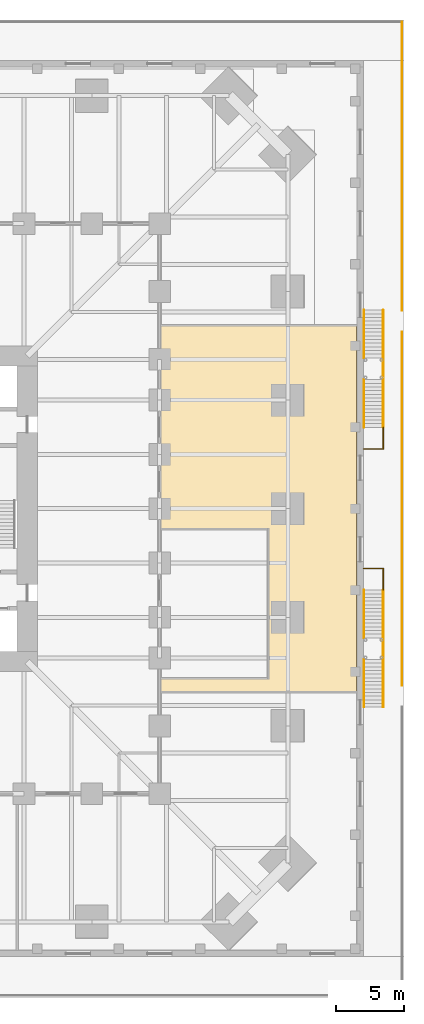
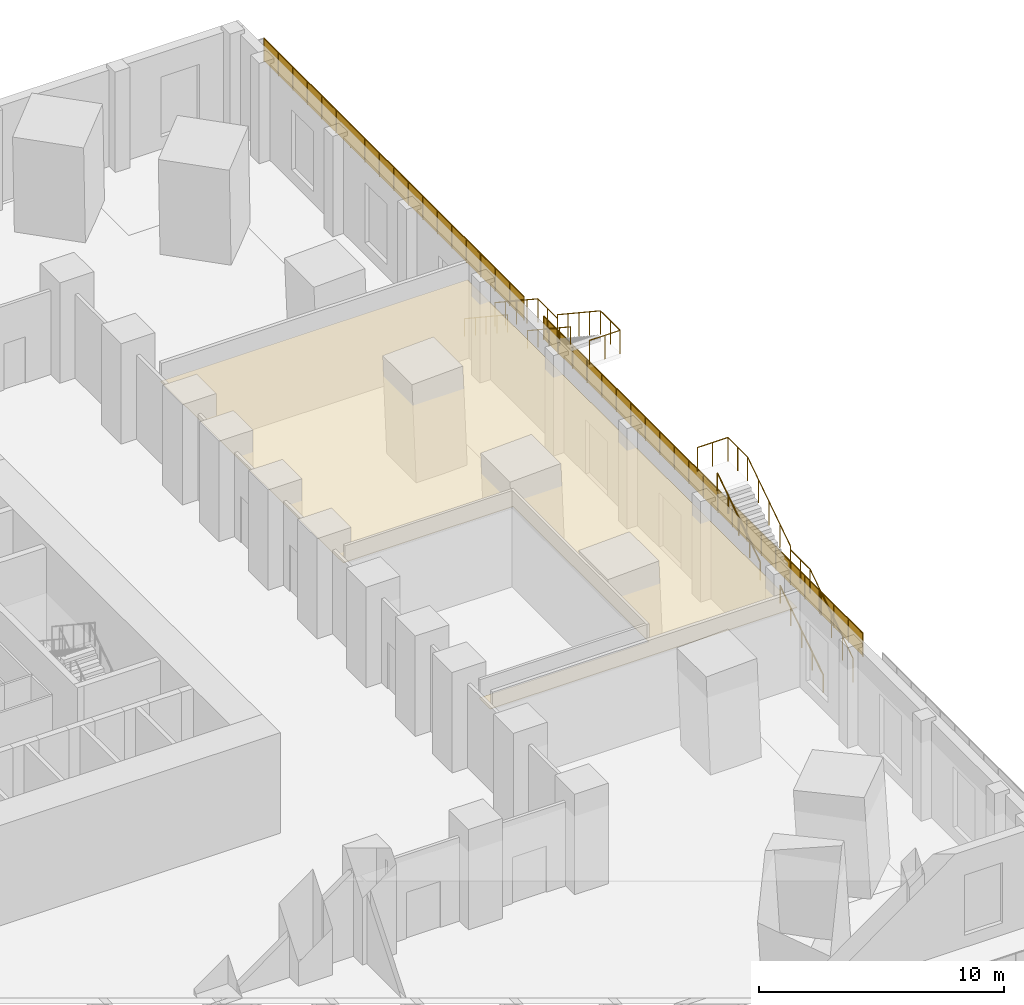
# One storey, part 19 of 20: 14 railings, 1 covering.
"""IFC4 building model written with IfcOpenShell, lengths in metres."""

import ifcopenshell
import ifcopenshell.guid

model = None  # the IFC model being written
_history = None  # IfcOwnerHistory: only IFC2X3 demands one
_inside = {}  # id of a spatial element -> (the spatial element, [elements in it])
_under = {}  # id of a project, library or spatial element -> (it, [spatial elements below it])
_declared = {}  # id of a project -> (the project, [libraries it declares])
_typed = {}  # id of a type object -> (the type object, [elements of that type])
_made_of = {}  # id of a material, layer set ... -> (it, [elements and type objects made of it])


def new_model(schema):
    """Start an empty IFC model of exactly this schema.

    Asked for "IFC4X3", IfcOpenShell would pick the latest addendum, in which some entities
    have other attributes; the version numbers below select the first issue.
    IFC2X3 requires an IfcOwnerHistory on every rooted entity: one is made here for all.
    """
    global model, _history
    if schema == "IFC4X3":
        model = ifcopenshell.file(schema_version=(4, 3, 0, 0))
    else:
        model = ifcopenshell.file(schema=schema)
    _inside.clear()
    _under.clear()
    _declared.clear()
    _typed.clear()
    _made_of.clear()
    _history = None
    if model.schema == "IFC2X3":
        org = make("IfcOrganization", Name="unknown")
        user = make(
            "IfcPersonAndOrganization",
            ThePerson=make("IfcPerson", FamilyName="unknown"),
            TheOrganization=org,
        )
        app = make(
            "IfcApplication",
            ApplicationDeveloper=org,
            Version="unknown",
            ApplicationFullName="unknown",
            ApplicationIdentifier="unknown",
        )
        _history = make(
            "IfcOwnerHistory",
            OwningUser=user,
            OwningApplication=app,
            ChangeAction="ADDED",
            CreationDate=0,
        )
    return model


def make(cls, **values):
    """One entity of the class cls with the attributes given. An attribute that is None is left unset."""
    return model.create_entity(
        cls, **{name: value for name, value in values.items() if value is not None}
    )


def rooted(cls, **values):
    """An entity with a GlobalId (a new one), such as an element, a storey or a relation."""
    return make(cls, GlobalId=ifcopenshell.guid.new(), OwnerHistory=_history, **values)


def si_unit(unit_type, name, prefix=None):
    """IfcSIUnit, for example si_unit("LENGTHUNIT", "METRE", prefix="MILLI")."""
    return make("IfcSIUnit", UnitType=unit_type, Prefix=prefix, Name=name)


def assignment(units):
    """IfcUnitAssignment: the units of a project."""
    return None if units is None else make("IfcUnitAssignment", Units=units)


def point(xyz):
    """IfcCartesianPoint."""
    return None if xyz is None else make("IfcCartesianPoint", Coordinates=xyz)


def direction(xyz):
    """IfcDirection."""
    return None if xyz is None else make("IfcDirection", DirectionRatios=xyz)


def frame(location, z_axis=None, x_axis=None):
    """IfcAxis2Placement3D, a coordinate frame: its origin and axes. An axis left out is left unset."""
    return make(
        "IfcAxis2Placement3D",
        Location=point(location),
        Axis=direction(z_axis),
        RefDirection=direction(x_axis),
    )


def frame_2d(location, x_axis=None):
    """IfcAxis2Placement2D, a coordinate frame in the plane: its origin and x axis."""
    return make(
        "IfcAxis2Placement2D", Location=point(location), RefDirection=direction(x_axis)
    )


def origin():
    """The frame at (0, 0, 0) with its axes left unset."""
    return frame((0.0, 0.0, 0.0))


def origin_2d():
    """The frame at (0, 0) in the plane with its x axis left unset."""
    return frame_2d((0.0, 0.0))


def place(relative_to, where):
    """IfcLocalPlacement: puts the frame where relative to a parent placement (None: the world)."""
    return make(
        "IfcLocalPlacement", PlacementRelTo=relative_to, RelativePlacement=where
    )


def context(
    kind, dimensions, precision=None, world=None, true_north=None, identifier=None
):
    """IfcGeometricRepresentationContext, for example the 3D "Model" context."""
    return make(
        "IfcGeometricRepresentationContext",
        ContextIdentifier=identifier,
        ContextType=kind,
        CoordinateSpaceDimension=dimensions,
        Precision=precision,
        WorldCoordinateSystem=world,
        TrueNorth=true_north,
    )


def subcontext(parent, identifier, kind, view, scale=None):
    """IfcGeometricRepresentationSubContext, for example "Body" below "Model"."""
    return make(
        "IfcGeometricRepresentationSubContext",
        ContextIdentifier=identifier,
        ContextType=kind,
        ParentContext=parent,
        TargetScale=scale,
        TargetView=view,
    )


def project(units=None, contexts=None):
    """IfcProject with its units and contexts."""
    return rooted(
        "IfcProject",
        Name="project",
        RepresentationContexts=contexts,
        UnitsInContext=assignment(units),
    )


def spatial(cls, under=None, at=None, **own):
    """A site, building, storey or space (cls), placed at a placement, below another one or the project."""
    s = rooted(cls, ObjectPlacement=at, **own)
    if under is not None:
        _under.setdefault(under.id(), (under, []))[1].append(s)
    return s


def polyline(points):
    """IfcPolyline through the points."""
    return make("IfcPolyline", Points=[point(p) for p in points])


def profile(cls, at=None, kind="AREA", **sizes):
    """A parametric profile (cls). Its sizes go by their IFC names, for example OverallWidth=200.0."""
    return make(cls, ProfileType=kind, Position=at, **sizes)


def rectangle(**sizes):
    """IfcRectangleProfileDef."""
    return profile("IfcRectangleProfileDef", **sizes)


def circle(**sizes):
    """IfcCircleProfileDef."""
    return profile("IfcCircleProfileDef", **sizes)


def outline(outer, holes=None, kind="AREA"):
    """IfcArbitraryClosedProfileDef: a profile drawn as a closed curve; with holes, ...WithVoids."""
    if holes is None:
        return make("IfcArbitraryClosedProfileDef", ProfileType=kind, OuterCurve=outer)
    return make(
        "IfcArbitraryProfileDefWithVoids",
        ProfileType=kind,
        OuterCurve=outer,
        InnerCurves=holes,
    )


def extrude(swept, where, along, depth):
    """IfcExtrudedAreaSolid: the profile swept, set in the frame where, extruded along a direction by depth."""
    return make(
        "IfcExtrudedAreaSolid",
        SweptArea=swept,
        Position=where,
        ExtrudedDirection=direction(along),
        Depth=depth,
    )


def shape(context_of_items, identifier, shape_type, items):
    """IfcShapeRepresentation: the items that make up one representation, for example the "Body"."""
    return make(
        "IfcShapeRepresentation",
        ContextOfItems=context_of_items,
        RepresentationIdentifier=identifier,
        RepresentationType=shape_type,
        Items=items,
    )


def material(Name=None, Category=None):
    """IfcMaterial."""
    return make("IfcMaterial", Name=Name, Category=Category)


def layer(
    of_material, thickness, ventilated=None, Name=None, Category=None, Priority=None
):
    """IfcMaterialLayer: one layer of a wall or slab, of a material (None: an air gap)."""
    return make(
        "IfcMaterialLayer",
        Material=of_material,
        LayerThickness=thickness,
        IsVentilated=ventilated,
        Name=Name,
        Category=Category,
        Priority=Priority,
    )


def layer_set(layers, Name=None):
    """IfcMaterialLayerSet."""
    return make("IfcMaterialLayerSet", MaterialLayers=layers, LayerSetName=Name)


def made_of(thing, what):
    """Note that an element or type object is made of a material, layer set ...; save() writes the relation."""
    if what is not None:
        _made_of.setdefault(what.id(), (what, []))[1].append(thing)
    return thing


def type_object(cls, material=None, **own):
    """A type object (cls), such as IfcWallType, which elements share."""
    return made_of(rooted(cls, **own), material)


def element(
    cls,
    number,
    at=None,
    inside=None,
    cuts=None,
    type_object=None,
    material=None,
    context=None,
    identifier="Body",
    shape_type=None,
    held_by="IfcProductDefinitionShape",
    body=None,
    shapes=None,
    **own,
):
    """One element of the class cls, such as IfcWall. Its Tag is "e" and its number.

    at: its placement. inside: the storey or other place that contains it. cuts: it is an
    opening in that element (IfcRelVoidsElement). A single representation is given by context,
    identifier, shape_type and body (its items); several are given by shapes. held_by: the class
    of the entity that holds the representations. save() writes the other relations.
    """
    e = rooted(cls, Tag="e%d" % number, ObjectPlacement=at, **own)
    if body is not None:
        shapes = [shape(context, identifier, shape_type, body)]
    if shapes is not None:
        e.Representation = make(held_by, Representations=shapes)
    if inside is not None:
        _inside.setdefault(inside.id(), (inside, []))[1].append(e)
    if cuts is not None:
        rooted(
            "IfcRelVoidsElement", RelatingBuildingElement=cuts, RelatedOpeningElement=e
        )
    if type_object is not None:
        _typed.setdefault(type_object.id(), (type_object, []))[1].append(e)
    return made_of(e, material)


def aggregate(whole, parts):
    """IfcRelAggregates: a whole, such as a stair, and the parts it consists of."""
    return rooted("IfcRelAggregates", RelatingObject=whole, RelatedObjects=parts)


def save(model, path):
    """Write the relations noted so far, then the file.

    IfcRelAggregates (storeys below a building ...), IfcRelContainedInSpatialStructure (elements
    in a storey), IfcRelDefinesByType, IfcRelAssociatesMaterial and IfcRelDeclares: one each for
    every whole, place, type object, material and project.
    """
    for whole, parts in _under.values():
        aggregate(whole, parts)
    for where, things in _inside.values():
        rooted(
            "IfcRelContainedInSpatialStructure",
            RelatedElements=things,
            RelatingStructure=where,
        )
    for kind, things in _typed.values():
        rooted("IfcRelDefinesByType", RelatedObjects=things, RelatingType=kind)
    for what, things in _made_of.values():
        rooted("IfcRelAssociatesMaterial", RelatedObjects=things, RelatingMaterial=what)
    for by, libraries in _declared.values():
        rooted("IfcRelDeclares", RelatingContext=by, RelatedDefinitions=libraries)
    model.write(path)


model = new_model("IFC4")

# Units and contexts
model_context = context("Model", 3, precision=1e-05, world=origin(), true_north=direction((0.0, 1.0)))
body_context = subcontext(model_context, "Body", "Model", "MODEL_VIEW")
ifc_project = project(units=[si_unit("LENGTHUNIT", "METRE"), si_unit("AREAUNIT", "SQUARE_METRE"), si_unit("VOLUMEUNIT", "CUBIC_METRE"), si_unit("PLANEANGLEUNIT", "RADIAN"), si_unit("MASSUNIT", "GRAM", prefix="KILO")], contexts=[model_context])

# Site, building, storey
site_placement = place(None, origin())
site = spatial("IfcSite", under=ifc_project, at=site_placement, CompositionType="ELEMENT")
building_placement = place(site_placement, origin())
building = spatial("IfcBuilding", under=site, at=building_placement, Name="Peilmerk Tower", CompositionType="ELEMENT")
storey_placement = place(building_placement, frame((0.0, 0.0, 11.0)))
storey = spatial("IfcBuildingStorey", under=building, at=storey_placement, Name="L02", CompositionType="ELEMENT", Elevation=11.0)

# Covering
ifc_material_1 = material(Name="Mineral fibre ceiling tiles", Category="mineral")
ifc_layer = layer(ifc_material_1, 0.02490234375)
ifc_layer_set = layer_set([ifc_layer], Name="Mineral fibre ceiling tiles")
covering_type = type_object("IfcCoveringType", Name="CL1 25 suspended ceiling", PredefinedType="CEILING", material=ifc_layer_set)
covering_placement = place(storey_placement, frame((0.0, 0.0, 3.875)))
element("IfcCovering", 1, at=covering_placement, inside=storey, type_object=covering_type, Name="Suspended ceiling Open workspace", PredefinedType="CEILING", context=body_context, shape_type="SweptSolid", body=[
    extrude(outline(polyline([(21.050048828125, -13.449951171875), (35.5, -13.449951171875), (35.5, 13.449951171875), (21.050048828125, 13.449951171875), (21.050048828125, -1.449951171875), (29.050048828125, -1.449951171875), (29.050048828125, -12.550048828125), (21.050048828125, -12.550048828125), (21.050048828125, -13.449951171875)])), origin(), (0.0, 0.0, 1.0), 0.02490234375),
])

# Railings
ifc_material_2 = material(Name="Steel flat bar balustrade", Category="steel")
railing_type_1 = type_object("IfcRailingType", Name="GR1 1200 stair guard", PredefinedType="GUARDRAIL", material=ifc_material_2)
for number, where, name in (
    (2, (37.469970703125, 14.6201171875, 0.178466796875), "Guard external stair 3 L02"),
    (3, (37.469970703125, 9.510009765625, 2.678466796875), "Guard external stair 3 L02"),
):
    element("IfcRailing", number, at=place(storey_placement, frame(where)), inside=storey, type_object=railing_type_1, Name=name, PredefinedType="GUARDRAIL", context=body_context, shape_type="SweptSolid", body=[
        extrude(circle(Radius=0.02392578125, at=origin_2d()), frame((0.0, 0.0, 1.17578125), z_axis=(0.0, -0.834070780157, 0.551657442339), x_axis=(1.0, 0.0, 0.0)), (0.0, 0.0, 1.0), 4.208251953125),
        extrude(circle(Radius=0.02099609375, at=origin_2d()), origin(), (0.0, 0.0, 1.0), 1.15185546875),
        extrude(circle(Radius=0.02099609375, at=origin_2d()), frame((0.0, -0.87744140625, 0.580322265625)), (0.0, 0.0, 1.0), 1.15185546875),
        extrude(circle(Radius=0.02099609375, at=origin_2d()), frame((0.0, -1.7548828125, 1.16064453125)), (0.0, 0.0, 1.0), 1.15185546875),
        extrude(circle(Radius=0.02099609375, at=origin_2d()), frame((0.0, -2.632568359375, 1.7412109375)), (0.0, 0.0, 1.0), 1.15185546875),
        extrude(circle(Radius=0.02099609375, at=origin_2d()), frame((0.0, -3.510009765625, 2.321533203125)), (0.0, 0.0, 1.0), 1.15185546875),
    ])
railing_1_placement = place(storey_placement, frame((37.469970703125, 9.510009765625, 2.5)))
element("IfcRailing", 4, at=railing_1_placement, inside=storey, type_object=railing_type_1, Name="Guard external stair 3 L02", PredefinedType="GUARDRAIL", context=body_context, shape_type="SweptSolid", body=[
    extrude(circle(Radius=0.02392578125, at=origin_2d()), frame((0.0, 0.0, 1.17578125), z_axis=(0.0, 1.0, 0.0), x_axis=(-1.0, 0.0, 0.0)), (0.0, 0.0, 1.0), 1.60009765625),
    extrude(circle(Radius=0.02099609375, at=origin_2d()), origin(), (0.0, 0.0, 1.0), 1.15185546875),
    extrude(circle(Radius=0.02099609375, at=origin_2d()), frame((0.0, 0.800048828125, 0.0)), (0.0, 0.0, 1.0), 1.15185546875),
    extrude(circle(Radius=0.02099609375, at=origin_2d()), frame((0.0, 1.60009765625, 0.0)), (0.0, 0.0, 1.0), 1.15185546875),
])
railing_2_placement = place(storey_placement, frame((37.469970703125, 6.0, 5.0)))
element("IfcRailing", 5, at=railing_2_placement, inside=storey, type_object=railing_type_1, Name="Guard external stair 3 L02", PredefinedType="GUARDRAIL", context=body_context, shape_type="SweptSolid", body=[
    extrude(circle(Radius=0.02392578125, at=origin_2d()), frame((0.0, 0.0, 1.17578125), z_axis=(0.0, -1.0, 0.0), x_axis=(1.0, 0.0, 0.0)), (0.0, 0.0, 1.0), 1.60009765625),
    extrude(circle(Radius=0.02392578125, at=origin_2d()), frame((0.0, -1.60009765625, 1.17578125), z_axis=(-1.0, 0.0, 0.0), x_axis=(0.0, -1.0, 0.0)), (0.0, 0.0, 1.0), 1.43994140625),
    extrude(circle(Radius=0.02099609375, at=origin_2d()), origin(), (0.0, 0.0, 1.0), 1.15185546875),
    extrude(circle(Radius=0.02099609375, at=origin_2d()), frame((0.0, -0.800048828125, 0.0)), (0.0, 0.0, 1.0), 1.15185546875),
    extrude(circle(Radius=0.02099609375, at=origin_2d()), frame((0.0, -1.60009765625, 0.0)), (0.0, 0.0, 1.0), 1.15185546875),
    extrude(circle(Radius=0.02099609375, at=origin_2d()), frame((-0.719970703125, -1.60009765625, 0.0)), (0.0, 0.0, 1.0), 1.15185546875),
    extrude(circle(Radius=0.02099609375, at=origin_2d()), frame((-1.43994140625, -1.60009765625, 0.0)), (0.0, 0.0, 1.0), 1.15185546875),
])
for number, where, name in (
    (6, (37.469970703125, -14.6201171875, 0.178466796875), "Guard external stair 4 L02"),
    (7, (37.469970703125, -9.510009765625, 2.678466796875), "Guard external stair 4 L02"),
):
    element("IfcRailing", number, at=place(storey_placement, frame(where)), inside=storey, type_object=railing_type_1, Name=name, PredefinedType="GUARDRAIL", context=body_context, shape_type="SweptSolid", body=[
        extrude(circle(Radius=0.02392578125, at=origin_2d()), frame((0.0, 0.0, 1.17578125), z_axis=(0.0, 0.834070780157, 0.551657442339), x_axis=(-1.0, 0.0, 0.0)), (0.0, 0.0, 1.0), 4.208251953125),
        extrude(circle(Radius=0.02099609375, at=origin_2d()), origin(), (0.0, 0.0, 1.0), 1.15185546875),
        extrude(circle(Radius=0.02099609375, at=origin_2d()), frame((0.0, 0.87744140625, 0.580322265625)), (0.0, 0.0, 1.0), 1.15185546875),
        extrude(circle(Radius=0.02099609375, at=origin_2d()), frame((0.0, 1.7548828125, 1.16064453125)), (0.0, 0.0, 1.0), 1.15185546875),
        extrude(circle(Radius=0.02099609375, at=origin_2d()), frame((0.0, 2.632568359375, 1.7412109375)), (0.0, 0.0, 1.0), 1.15185546875),
        extrude(circle(Radius=0.02099609375, at=origin_2d()), frame((0.0, 3.510009765625, 2.321533203125)), (0.0, 0.0, 1.0), 1.15185546875),
    ])
railing_3_placement = place(storey_placement, frame((37.469970703125, -11.110107421875, 2.5)))
element("IfcRailing", 8, at=railing_3_placement, inside=storey, type_object=railing_type_1, Name="Guard external stair 4 L02", PredefinedType="GUARDRAIL", context=body_context, shape_type="SweptSolid", body=[
    extrude(circle(Radius=0.02392578125, at=origin_2d()), frame((0.0, 0.0, 1.17578125), z_axis=(0.0, 1.0, 0.0), x_axis=(-1.0, 0.0, 0.0)), (0.0, 0.0, 1.0), 1.60009765625),
    extrude(circle(Radius=0.02099609375, at=origin_2d()), origin(), (0.0, 0.0, 1.0), 1.15185546875),
    extrude(circle(Radius=0.02099609375, at=origin_2d()), frame((0.0, 0.800048828125, 0.0)), (0.0, 0.0, 1.0), 1.15185546875),
    extrude(circle(Radius=0.02099609375, at=origin_2d()), frame((0.0, 1.60009765625, 0.0)), (0.0, 0.0, 1.0), 1.15185546875),
])
railing_4_placement = place(storey_placement, frame((37.469970703125, -6.0, 5.0)))
element("IfcRailing", 9, at=railing_4_placement, inside=storey, type_object=railing_type_1, Name="Guard external stair 4 L02", PredefinedType="GUARDRAIL", context=body_context, shape_type="SweptSolid", body=[
    extrude(circle(Radius=0.02392578125, at=origin_2d()), frame((0.0, 0.0, 1.17578125), z_axis=(0.0, 1.0, 0.0), x_axis=(-1.0, 0.0, 0.0)), (0.0, 0.0, 1.0), 1.60009765625),
    extrude(circle(Radius=0.02392578125, at=origin_2d()), frame((0.0, 1.60009765625, 1.17578125), z_axis=(-1.0, 0.0, 0.0), x_axis=(0.0, -1.0, 0.0)), (0.0, 0.0, 1.0), 1.43994140625),
    extrude(circle(Radius=0.02099609375, at=origin_2d()), origin(), (0.0, 0.0, 1.0), 1.15185546875),
    extrude(circle(Radius=0.02099609375, at=origin_2d()), frame((0.0, 0.800048828125, 0.0)), (0.0, 0.0, 1.0), 1.15185546875),
    extrude(circle(Radius=0.02099609375, at=origin_2d()), frame((0.0, 1.60009765625, 0.0)), (0.0, 0.0, 1.0), 1.15185546875),
    extrude(circle(Radius=0.02099609375, at=origin_2d()), frame((-0.719970703125, 1.60009765625, 0.0)), (0.0, 0.0, 1.0), 1.15185546875),
    extrude(circle(Radius=0.02099609375, at=origin_2d()), frame((-1.43994140625, 1.60009765625, 0.0)), (0.0, 0.0, 1.0), 1.15185546875),
])
ifc_material_3 = material(Name="Galvanised steel posts and top rail, laminated glass infill 16", Category="steel")
railing_type_2 = type_object("IfcRailingType", Name="GR2 1200 terrace balustrade", PredefinedType="BALUSTRADE", material=ifc_material_3)
railing_5_placement = place(storey_placement, frame((38.85009765625, -13.02001953125, 0.0)))
element("IfcRailing", 10, at=railing_5_placement, inside=storey, type_object=railing_type_2, Name="Terrace balustrade L02", PredefinedType="BALUSTRADE", context=body_context, shape_type="SweptSolid", body=[
    extrude(circle(Radius=0.02392578125, at=origin_2d()), frame((0.0, 0.0, 1.17578125), z_axis=(0.0, 1.0, 0.0), x_axis=(-1.0, 0.0, 0.0)), (0.0, 0.0, 1.0), 26.0400390625),
    extrude(circle(Radius=0.02099609375, at=origin_2d()), origin(), (0.0, 0.0, 1.0), 1.15185546875),
    extrude(circle(Radius=0.02099609375, at=origin_2d()), frame((0.0, 1.18359375, 0.0)), (0.0, 0.0, 1.0), 1.15185546875),
    extrude(circle(Radius=0.02099609375, at=origin_2d()), frame((0.0, 2.3671875, 0.0)), (0.0, 0.0, 1.0), 1.15185546875),
    extrude(circle(Radius=0.02099609375, at=origin_2d()), frame((0.0, 3.551025390625, 0.0)), (0.0, 0.0, 1.0), 1.15185546875),
    extrude(circle(Radius=0.02099609375, at=origin_2d()), frame((0.0, 4.734619140625, 0.0)), (0.0, 0.0, 1.0), 1.15185546875),
    extrude(circle(Radius=0.02099609375, at=origin_2d()), frame((0.0, 5.918212890625, 0.0)), (0.0, 0.0, 1.0), 1.15185546875),
    extrude(circle(Radius=0.02099609375, at=origin_2d()), frame((0.0, 7.101806640625, 0.0)), (0.0, 0.0, 1.0), 1.15185546875),
    extrude(circle(Radius=0.02099609375, at=origin_2d()), frame((0.0, 8.285400390625, 0.0)), (0.0, 0.0, 1.0), 1.15185546875),
    extrude(circle(Radius=0.02099609375, at=origin_2d()), frame((0.0, 9.468994140625, 0.0)), (0.0, 0.0, 1.0), 1.15185546875),
    extrude(circle(Radius=0.02099609375, at=origin_2d()), frame((0.0, 10.65283203125, 0.0)), (0.0, 0.0, 1.0), 1.15185546875),
    extrude(circle(Radius=0.02099609375, at=origin_2d()), frame((0.0, 11.83642578125, 0.0)), (0.0, 0.0, 1.0), 1.15185546875),
    extrude(circle(Radius=0.02099609375, at=origin_2d()), frame((0.0, 13.02001953125, 0.0)), (0.0, 0.0, 1.0), 1.15185546875),
    extrude(circle(Radius=0.02099609375, at=origin_2d()), frame((0.0, 14.20361328125, 0.0)), (0.0, 0.0, 1.0), 1.15185546875),
    extrude(circle(Radius=0.02099609375, at=origin_2d()), frame((0.0, 15.38720703125, 0.0)), (0.0, 0.0, 1.0), 1.15185546875),
    extrude(circle(Radius=0.02099609375, at=origin_2d()), frame((0.0, 16.571044921875, 0.0)), (0.0, 0.0, 1.0), 1.15185546875),
    extrude(circle(Radius=0.02099609375, at=origin_2d()), frame((0.0, 17.754638671875, 0.0)), (0.0, 0.0, 1.0), 1.15185546875),
    extrude(circle(Radius=0.02099609375, at=origin_2d()), frame((0.0, 18.938232421875, 0.0)), (0.0, 0.0, 1.0), 1.15185546875),
    extrude(circle(Radius=0.02099609375, at=origin_2d()), frame((0.0, 20.121826171875, 0.0)), (0.0, 0.0, 1.0), 1.15185546875),
    extrude(circle(Radius=0.02099609375, at=origin_2d()), frame((0.0, 21.305419921875, 0.0)), (0.0, 0.0, 1.0), 1.15185546875),
    extrude(circle(Radius=0.02099609375, at=origin_2d()), frame((0.0, 22.489013671875, 0.0)), (0.0, 0.0, 1.0), 1.15185546875),
    extrude(circle(Radius=0.02099609375, at=origin_2d()), frame((0.0, 23.6728515625, 0.0)), (0.0, 0.0, 1.0), 1.15185546875),
    extrude(circle(Radius=0.02099609375, at=origin_2d()), frame((0.0, 24.8564453125, 0.0)), (0.0, 0.0, 1.0), 1.15185546875),
    extrude(circle(Radius=0.02099609375, at=origin_2d()), frame((0.0, 26.0400390625, 0.0)), (0.0, 0.0, 1.0), 1.15185546875),
    extrude(rectangle(XDim=1.1416015625, YDim=0.01611328125, at=origin_2d()), frame((0.0, 0.591796875, 0.050048828125), z_axis=(0.0, 0.0, 1.0), x_axis=(0.0, 1.0, 0.0)), (0.0, 0.0, 1.0), 1.101806640625),
    extrude(rectangle(XDim=1.1416015625, YDim=0.01611328125, at=origin_2d()), frame((0.0, 1.775390625, 0.050048828125), z_axis=(0.0, 0.0, 1.0), x_axis=(0.0, 1.0, 0.0)), (0.0, 0.0, 1.0), 1.101806640625),
    extrude(rectangle(XDim=1.1416015625, YDim=0.01611328125, at=origin_2d()), frame((0.0, 2.958984375, 0.050048828125), z_axis=(0.0, 0.0, 1.0), x_axis=(0.0, 1.0, 0.0)), (0.0, 0.0, 1.0), 1.101806640625),
    extrude(rectangle(XDim=1.1416015625, YDim=0.01611328125, at=origin_2d()), frame((0.0, 4.142822265625, 0.050048828125), z_axis=(0.0, 0.0, 1.0), x_axis=(0.0, 1.0, 0.0)), (0.0, 0.0, 1.0), 1.101806640625),
    extrude(rectangle(XDim=1.1416015625, YDim=0.01611328125, at=origin_2d()), frame((0.0, 5.326416015625, 0.050048828125), z_axis=(0.0, 0.0, 1.0), x_axis=(0.0, 1.0, 0.0)), (0.0, 0.0, 1.0), 1.101806640625),
    extrude(rectangle(XDim=1.1416015625, YDim=0.01611328125, at=origin_2d()), frame((0.0, 6.510009765625, 0.050048828125), z_axis=(0.0, 0.0, 1.0), x_axis=(0.0, 1.0, 0.0)), (0.0, 0.0, 1.0), 1.101806640625),
    extrude(rectangle(XDim=1.1416015625, YDim=0.01611328125, at=origin_2d()), frame((0.0, 7.693603515625, 0.050048828125), z_axis=(0.0, 0.0, 1.0), x_axis=(0.0, 1.0, 0.0)), (0.0, 0.0, 1.0), 1.101806640625),
    extrude(rectangle(XDim=1.1416015625, YDim=0.01611328125, at=origin_2d()), frame((0.0, 8.877197265625, 0.050048828125), z_axis=(0.0, 0.0, 1.0), x_axis=(0.0, 1.0, 0.0)), (0.0, 0.0, 1.0), 1.101806640625),
    extrude(rectangle(XDim=1.1416015625, YDim=0.01611328125, at=origin_2d()), frame((0.0, 10.06103515625, 0.050048828125), z_axis=(0.0, 0.0, 1.0), x_axis=(0.0, 1.0, 0.0)), (0.0, 0.0, 1.0), 1.101806640625),
    extrude(rectangle(XDim=1.1416015625, YDim=0.01611328125, at=origin_2d()), frame((0.0, 11.24462890625, 0.050048828125), z_axis=(0.0, 0.0, 1.0), x_axis=(0.0, 1.0, 0.0)), (0.0, 0.0, 1.0), 1.101806640625),
    extrude(rectangle(XDim=1.1416015625, YDim=0.01611328125, at=origin_2d()), frame((0.0, 12.42822265625, 0.050048828125), z_axis=(0.0, 0.0, 1.0), x_axis=(0.0, 1.0, 0.0)), (0.0, 0.0, 1.0), 1.101806640625),
    extrude(rectangle(XDim=1.1416015625, YDim=0.01611328125, at=origin_2d()), frame((0.0, 13.61181640625, 0.050048828125), z_axis=(0.0, 0.0, 1.0), x_axis=(0.0, 1.0, 0.0)), (0.0, 0.0, 1.0), 1.101806640625),
    extrude(rectangle(XDim=1.1416015625, YDim=0.01611328125, at=origin_2d()), frame((0.0, 14.79541015625, 0.050048828125), z_axis=(0.0, 0.0, 1.0), x_axis=(0.0, 1.0, 0.0)), (0.0, 0.0, 1.0), 1.101806640625),
    extrude(rectangle(XDim=1.1416015625, YDim=0.01611328125, at=origin_2d()), frame((0.0, 15.97900390625, 0.050048828125), z_axis=(0.0, 0.0, 1.0), x_axis=(0.0, 1.0, 0.0)), (0.0, 0.0, 1.0), 1.101806640625),
    extrude(rectangle(XDim=1.1416015625, YDim=0.01611328125, at=origin_2d()), frame((0.0, 17.162841796875, 0.050048828125), z_axis=(0.0, 0.0, 1.0), x_axis=(0.0, 1.0, 0.0)), (0.0, 0.0, 1.0), 1.101806640625),
    extrude(rectangle(XDim=1.1416015625, YDim=0.01611328125, at=origin_2d()), frame((0.0, 18.346435546875, 0.050048828125), z_axis=(0.0, 0.0, 1.0), x_axis=(0.0, 1.0, 0.0)), (0.0, 0.0, 1.0), 1.101806640625),
    extrude(rectangle(XDim=1.1416015625, YDim=0.01611328125, at=origin_2d()), frame((0.0, 19.530029296875, 0.050048828125), z_axis=(0.0, 0.0, 1.0), x_axis=(0.0, 1.0, 0.0)), (0.0, 0.0, 1.0), 1.101806640625),
    extrude(rectangle(XDim=1.1416015625, YDim=0.01611328125, at=origin_2d()), frame((0.0, 20.713623046875, 0.050048828125), z_axis=(0.0, 0.0, 1.0), x_axis=(0.0, 1.0, 0.0)), (0.0, 0.0, 1.0), 1.101806640625),
    extrude(rectangle(XDim=1.1416015625, YDim=0.01611328125, at=origin_2d()), frame((0.0, 21.897216796875, 0.050048828125), z_axis=(0.0, 0.0, 1.0), x_axis=(0.0, 1.0, 0.0)), (0.0, 0.0, 1.0), 1.101806640625),
    extrude(rectangle(XDim=1.1416015625, YDim=0.01611328125, at=origin_2d()), frame((0.0, 23.0810546875, 0.050048828125), z_axis=(0.0, 0.0, 1.0), x_axis=(0.0, 1.0, 0.0)), (0.0, 0.0, 1.0), 1.101806640625),
    extrude(rectangle(XDim=1.1416015625, YDim=0.01611328125, at=origin_2d()), frame((0.0, 24.2646484375, 0.050048828125), z_axis=(0.0, 0.0, 1.0), x_axis=(0.0, 1.0, 0.0)), (0.0, 0.0, 1.0), 1.101806640625),
    extrude(rectangle(XDim=1.1416015625, YDim=0.01611328125, at=origin_2d()), frame((0.0, 25.4482421875, 0.050048828125), z_axis=(0.0, 0.0, 1.0), x_axis=(0.0, 1.0, 0.0)), (0.0, 0.0, 1.0), 1.101806640625),
])
railing_6_placement = place(storey_placement, frame((38.85009765625, 14.6201171875, 0.0)))
element("IfcRailing", 11, at=railing_6_placement, inside=storey, type_object=railing_type_2, Name="Terrace balustrade L02", PredefinedType="BALUSTRADE", context=body_context, shape_type="SweptSolid", body=[
    extrude(circle(Radius=0.02392578125, at=origin_2d()), frame((0.0, 0.0, 1.17578125), z_axis=(0.0, 1.0, 0.0), x_axis=(-1.0, 0.0, 0.0)), (0.0, 0.0, 1.0), 21.22998046875),
    extrude(circle(Radius=0.02099609375, at=origin_2d()), origin(), (0.0, 0.0, 1.0), 1.15185546875),
    extrude(circle(Radius=0.02099609375, at=origin_2d()), frame((0.0, 1.179443359375, 0.0)), (0.0, 0.0, 1.0), 1.15185546875),
    extrude(circle(Radius=0.02099609375, at=origin_2d()), frame((0.0, 2.35888671875, 0.0)), (0.0, 0.0, 1.0), 1.15185546875),
    extrude(circle(Radius=0.02099609375, at=origin_2d()), frame((0.0, 3.538330078125, 0.0)), (0.0, 0.0, 1.0), 1.15185546875),
    extrude(circle(Radius=0.02099609375, at=origin_2d()), frame((0.0, 4.7177734375, 0.0)), (0.0, 0.0, 1.0), 1.15185546875),
    extrude(circle(Radius=0.02099609375, at=origin_2d()), frame((0.0, 5.897216796875, 0.0)), (0.0, 0.0, 1.0), 1.15185546875),
    extrude(circle(Radius=0.02099609375, at=origin_2d()), frame((0.0, 7.07666015625, 0.0)), (0.0, 0.0, 1.0), 1.15185546875),
    extrude(circle(Radius=0.02099609375, at=origin_2d()), frame((0.0, 8.256103515625, 0.0)), (0.0, 0.0, 1.0), 1.15185546875),
    extrude(circle(Radius=0.02099609375, at=origin_2d()), frame((0.0, 9.435546875, 0.0)), (0.0, 0.0, 1.0), 1.15185546875),
    extrude(circle(Radius=0.02099609375, at=origin_2d()), frame((0.0, 10.614990234375, 0.0)), (0.0, 0.0, 1.0), 1.15185546875),
    extrude(circle(Radius=0.02099609375, at=origin_2d()), frame((0.0, 11.79443359375, 0.0)), (0.0, 0.0, 1.0), 1.15185546875),
    extrude(circle(Radius=0.02099609375, at=origin_2d()), frame((0.0, 12.973876953125, 0.0)), (0.0, 0.0, 1.0), 1.15185546875),
    extrude(circle(Radius=0.02099609375, at=origin_2d()), frame((0.0, 14.1533203125, 0.0)), (0.0, 0.0, 1.0), 1.15185546875),
    extrude(circle(Radius=0.02099609375, at=origin_2d()), frame((0.0, 15.332763671875, 0.0)), (0.0, 0.0, 1.0), 1.15185546875),
    extrude(circle(Radius=0.02099609375, at=origin_2d()), frame((0.0, 16.51220703125, 0.0)), (0.0, 0.0, 1.0), 1.15185546875),
    extrude(circle(Radius=0.02099609375, at=origin_2d()), frame((0.0, 17.691650390625, 0.0)), (0.0, 0.0, 1.0), 1.15185546875),
    extrude(circle(Radius=0.02099609375, at=origin_2d()), frame((0.0, 18.87109375, 0.0)), (0.0, 0.0, 1.0), 1.15185546875),
    extrude(circle(Radius=0.02099609375, at=origin_2d()), frame((0.0, 20.050537109375, 0.0)), (0.0, 0.0, 1.0), 1.15185546875),
    extrude(circle(Radius=0.02099609375, at=origin_2d()), frame((0.0, 21.22998046875, 0.0)), (0.0, 0.0, 1.0), 1.15185546875),
    extrude(rectangle(XDim=1.137451171875, YDim=0.01611328125, at=origin_2d()), frame((0.0, 0.58984375, 0.050048828125), z_axis=(0.0, 0.0, 1.0), x_axis=(0.0, 1.0, 0.0)), (0.0, 0.0, 1.0), 1.101806640625),
    extrude(rectangle(XDim=1.137451171875, YDim=0.01611328125, at=origin_2d()), frame((0.0, 1.76904296875, 0.050048828125), z_axis=(0.0, 0.0, 1.0), x_axis=(0.0, 1.0, 0.0)), (0.0, 0.0, 1.0), 1.101806640625),
    extrude(rectangle(XDim=1.137451171875, YDim=0.01611328125, at=origin_2d()), frame((0.0, 2.94873046875, 0.050048828125), z_axis=(0.0, 0.0, 1.0), x_axis=(0.0, 1.0, 0.0)), (0.0, 0.0, 1.0), 1.101806640625),
    extrude(rectangle(XDim=1.137451171875, YDim=0.01611328125, at=origin_2d()), frame((0.0, 4.1279296875, 0.050048828125), z_axis=(0.0, 0.0, 1.0), x_axis=(0.0, 1.0, 0.0)), (0.0, 0.0, 1.0), 1.101806640625),
    extrude(rectangle(XDim=1.137451171875, YDim=0.01611328125, at=origin_2d()), frame((0.0, 5.3076171875, 0.050048828125), z_axis=(0.0, 0.0, 1.0), x_axis=(0.0, 1.0, 0.0)), (0.0, 0.0, 1.0), 1.101806640625),
    extrude(rectangle(XDim=1.137451171875, YDim=0.01611328125, at=origin_2d()), frame((0.0, 6.487060546875, 0.050048828125), z_axis=(0.0, 0.0, 1.0), x_axis=(0.0, 1.0, 0.0)), (0.0, 0.0, 1.0), 1.101806640625),
    extrude(rectangle(XDim=1.137451171875, YDim=0.01611328125, at=origin_2d()), frame((0.0, 7.66650390625, 0.050048828125), z_axis=(0.0, 0.0, 1.0), x_axis=(0.0, 1.0, 0.0)), (0.0, 0.0, 1.0), 1.101806640625),
    extrude(rectangle(XDim=1.137451171875, YDim=0.01611328125, at=origin_2d()), frame((0.0, 8.845703125, 0.050048828125), z_axis=(0.0, 0.0, 1.0), x_axis=(0.0, 1.0, 0.0)), (0.0, 0.0, 1.0), 1.101806640625),
    extrude(rectangle(XDim=1.137451171875, YDim=0.01611328125, at=origin_2d()), frame((0.0, 10.025390625, 0.050048828125), z_axis=(0.0, 0.0, 1.0), x_axis=(0.0, 1.0, 0.0)), (0.0, 0.0, 1.0), 1.101806640625),
    extrude(rectangle(XDim=1.137451171875, YDim=0.01611328125, at=origin_2d()), frame((0.0, 11.20458984375, 0.050048828125), z_axis=(0.0, 0.0, 1.0), x_axis=(0.0, 1.0, 0.0)), (0.0, 0.0, 1.0), 1.101806640625),
    extrude(rectangle(XDim=1.137451171875, YDim=0.01611328125, at=origin_2d()), frame((0.0, 12.38427734375, 0.050048828125), z_axis=(0.0, 0.0, 1.0), x_axis=(0.0, 1.0, 0.0)), (0.0, 0.0, 1.0), 1.101806640625),
    extrude(rectangle(XDim=1.137451171875, YDim=0.01611328125, at=origin_2d()), frame((0.0, 13.5634765625, 0.050048828125), z_axis=(0.0, 0.0, 1.0), x_axis=(0.0, 1.0, 0.0)), (0.0, 0.0, 1.0), 1.101806640625),
    extrude(rectangle(XDim=1.137451171875, YDim=0.01611328125, at=origin_2d()), frame((0.0, 14.7431640625, 0.050048828125), z_axis=(0.0, 0.0, 1.0), x_axis=(0.0, 1.0, 0.0)), (0.0, 0.0, 1.0), 1.101806640625),
    extrude(rectangle(XDim=1.137451171875, YDim=0.01611328125, at=origin_2d()), frame((0.0, 15.92236328125, 0.050048828125), z_axis=(0.0, 0.0, 1.0), x_axis=(0.0, 1.0, 0.0)), (0.0, 0.0, 1.0), 1.101806640625),
    extrude(rectangle(XDim=1.137451171875, YDim=0.01611328125, at=origin_2d()), frame((0.0, 17.10205078125, 0.050048828125), z_axis=(0.0, 0.0, 1.0), x_axis=(0.0, 1.0, 0.0)), (0.0, 0.0, 1.0), 1.101806640625),
    extrude(rectangle(XDim=1.137451171875, YDim=0.01611328125, at=origin_2d()), frame((0.0, 18.28125, 0.050048828125), z_axis=(0.0, 0.0, 1.0), x_axis=(0.0, 1.0, 0.0)), (0.0, 0.0, 1.0), 1.101806640625),
    extrude(rectangle(XDim=1.137451171875, YDim=0.01611328125, at=origin_2d()), frame((0.0, 19.4609375, 0.050048828125), z_axis=(0.0, 0.0, 1.0), x_axis=(0.0, 1.0, 0.0)), (0.0, 0.0, 1.0), 1.101806640625),
    extrude(rectangle(XDim=1.137451171875, YDim=0.01611328125, at=origin_2d()), frame((0.0, 20.64013671875, 0.050048828125), z_axis=(0.0, 0.0, 1.0), x_axis=(0.0, 1.0, 0.0)), (0.0, 0.0, 1.0), 1.101806640625),
])
ifc_material_4 = material(Name="Stainless steel tube", Category="steel")
railing_type_3 = type_object("IfcRailingType", Name="HR1 900 stair handrail", PredefinedType="HANDRAIL", material=ifc_material_4)
for number, where, name in (
    (12, (36.050048828125, 14.6201171875, 0.178466796875), "Handrail external stair 3 L02"),
    (13, (36.050048828125, 9.510009765625, 2.678466796875), "Handrail external stair 3 L02"),
):
    element("IfcRailing", number, at=place(storey_placement, frame(where)), inside=storey, type_object=railing_type_3, Name=name, PredefinedType="HANDRAIL", context=body_context, shape_type="SweptSolid", body=[
        extrude(circle(Radius=0.02392578125, at=origin_2d()), frame((0.0, 0.0, 0.8759765625), z_axis=(0.0, -0.834070780157, 0.551657442339), x_axis=(1.0, 0.0, 0.0)), (0.0, 0.0, 1.0), 4.208251953125),
        extrude(circle(Radius=0.02099609375, at=origin_2d()), origin(), (0.0, 0.0, 1.0), 0.851806640625),
        extrude(circle(Radius=0.02099609375, at=origin_2d()), frame((0.0, -0.87744140625, 0.580322265625)), (0.0, 0.0, 1.0), 0.851806640625),
        extrude(circle(Radius=0.02099609375, at=origin_2d()), frame((0.0, -1.7548828125, 1.16064453125)), (0.0, 0.0, 1.0), 0.851806640625),
        extrude(circle(Radius=0.02099609375, at=origin_2d()), frame((0.0, -2.632568359375, 1.7412109375)), (0.0, 0.0, 1.0), 0.851806640625),
        extrude(circle(Radius=0.02099609375, at=origin_2d()), frame((0.0, -3.510009765625, 2.321533203125)), (0.0, 0.0, 1.0), 0.851806640625),
    ])
for number, where, name in (
    (14, (36.050048828125, -14.6201171875, 0.178466796875), "Handrail external stair 4 L02"),
    (15, (36.050048828125, -9.510009765625, 2.678466796875), "Handrail external stair 4 L02"),
):
    element("IfcRailing", number, at=place(storey_placement, frame(where)), inside=storey, type_object=railing_type_3, Name=name, PredefinedType="HANDRAIL", context=body_context, shape_type="SweptSolid", body=[
        extrude(circle(Radius=0.02392578125, at=origin_2d()), frame((0.0, 0.0, 0.8759765625), z_axis=(0.0, 0.834070780157, 0.551657442339), x_axis=(-1.0, 0.0, 0.0)), (0.0, 0.0, 1.0), 4.208251953125),
        extrude(circle(Radius=0.02099609375, at=origin_2d()), origin(), (0.0, 0.0, 1.0), 0.851806640625),
        extrude(circle(Radius=0.02099609375, at=origin_2d()), frame((0.0, 0.87744140625, 0.580322265625)), (0.0, 0.0, 1.0), 0.851806640625),
        extrude(circle(Radius=0.02099609375, at=origin_2d()), frame((0.0, 1.7548828125, 1.16064453125)), (0.0, 0.0, 1.0), 0.851806640625),
        extrude(circle(Radius=0.02099609375, at=origin_2d()), frame((0.0, 2.632568359375, 1.7412109375)), (0.0, 0.0, 1.0), 0.851806640625),
        extrude(circle(Radius=0.02099609375, at=origin_2d()), frame((0.0, 3.510009765625, 2.321533203125)), (0.0, 0.0, 1.0), 0.851806640625),
    ])

save(model, "model.ifc")
